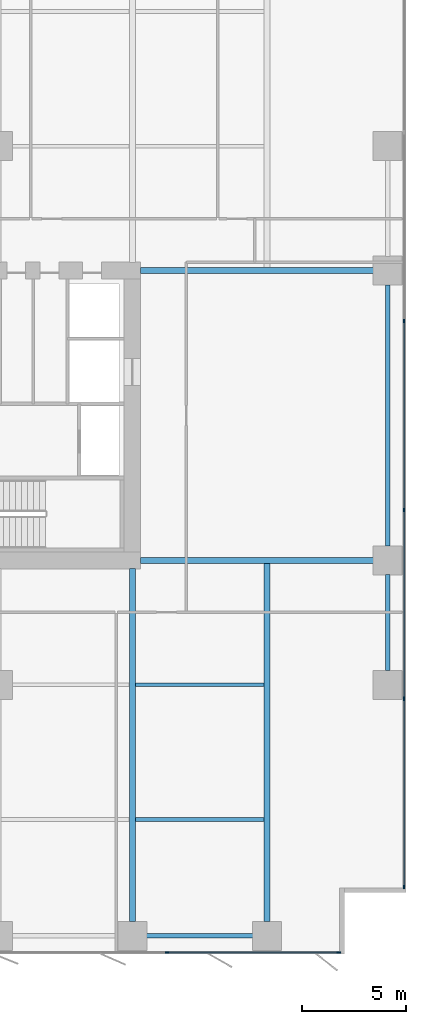
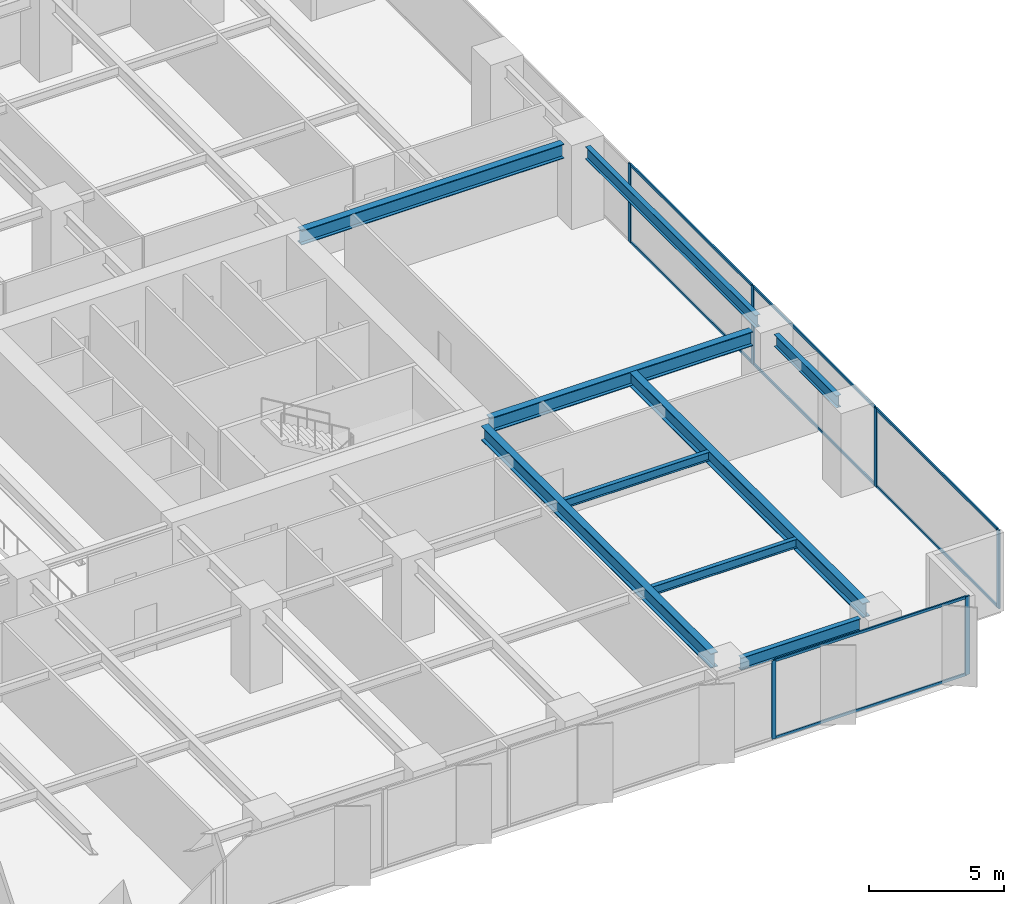
# One storey, part 10 of 20: 14 members, 9 beams, 2 elements without a shape of their own.
"""IFC4 building model written with IfcOpenShell, lengths in metres."""

from ifc_helpers import new_model, si_unit, direction, frame, origin, origin_2d, place, context, subcontext, project, spatial, rectangle, i_section, extrude, material, layer, layer_set, material_profile, profile_set, type_object, element, aggregate, save


model = new_model("IFC4")

# Units and contexts
model_context = context("Model", 3, precision=1e-05, world=origin(), true_north=direction((0.0, 1.0)))
body_context = subcontext(model_context, "Body", "Model", "MODEL_VIEW")
ifc_project = project(units=[si_unit("LENGTHUNIT", "METRE"), si_unit("AREAUNIT", "SQUARE_METRE"), si_unit("VOLUMEUNIT", "CUBIC_METRE"), si_unit("PLANEANGLEUNIT", "RADIAN"), si_unit("MASSUNIT", "GRAM", prefix="KILO")], contexts=[model_context])

# Site, building, storey
site_placement = place(None, origin())
site = spatial("IfcSite", under=ifc_project, at=site_placement, CompositionType="ELEMENT")
building_placement = place(site_placement, origin())
building = spatial("IfcBuilding", under=site, at=building_placement, Name="Putna Gate Headquarters", CompositionType="ELEMENT")
storey_placement = place(building_placement, frame((0.0, 0.0, 73.39990234375)))
storey = spatial("IfcBuildingStorey", under=building, at=storey_placement, Name="L17", CompositionType="ELEMENT", Elevation=73.39990234375)

# Beams
ifc_material_1 = material(Name="Steel S355J2", Category="steel")
ifc_material_profile_1 = material_profile(ifc_material_1, i_section(OverallWidth=0.300048828125, OverallDepth=0.64990234375, WebThickness=0.01611328125, FlangeThickness=0.031005859375, at=origin_2d()), Name="Steel S355J2")
ifc_profile_set_1 = profile_set([ifc_material_profile_1], Name="Steel S355J2")
beam_type_1 = type_object("IfcBeamType", Name="BM-GIRD-Z1-HEB650", PredefinedType="USERDEFINED", material=ifc_profile_set_1)
for number, where, z_axis, x_axis, name in (
    (1, (65.385009765625, 19.0, 3.22509765625), (1.0, 0.0, 0.0), (0.0, 1.0, 0.0), "L17 East Wing Girder Y19"),
    (2, (65.385009765625, 33.0, 3.22509765625), (1.0, 0.0, 0.0), (0.0, 1.0, 0.0), "L17 East Wing Girder Y33"),
):
    element("IfcBeam", number, at=place(storey_placement, frame(where, z_axis=z_axis, x_axis=x_axis)), inside=storey, type_object=beam_type_1, Name=name, ObjectType="GIRDER", PredefinedType="USERDEFINED", context=body_context, shape_type="SweptSolid", body=[
        extrude(i_section(OverallWidth=0.300048828125, OverallDepth=0.64990234375, WebThickness=0.01611328125, FlangeThickness=0.031005859375, at=origin_2d()), origin(), (0.0, 0.0, 1.0), 11.2470703125),
    ])
beam_1_placement = place(storey_placement, frame((65.0, 1.568115234375, 3.22509765625), z_axis=(0.0, 1.0, 0.0), x_axis=(-1.0, 0.0, 0.0)))
element("IfcBeam", 3, at=beam_1_placement, inside=storey, type_object=beam_type_1, Name="L17 South Primary Girder X65", ObjectType="GIRDER", PredefinedType="USERDEFINED", context=body_context, shape_type="SweptSolid", body=[
    extrude(i_section(OverallWidth=0.300048828125, OverallDepth=0.64990234375, WebThickness=0.01611328125, FlangeThickness=0.031005859375, at=origin_2d()), origin(), (0.0, 0.0, 1.0), 17.046875),
])
beam_2_placement = place(storey_placement, frame((71.5, 1.568115234375, 3.22509765625), z_axis=(0.0, 1.0, 0.0), x_axis=(-1.0, 0.0, 0.0)))
element("IfcBeam", 4, at=beam_2_placement, inside=storey, type_object=beam_type_1, Name="L17 South Primary Girder X71", ObjectType="GIRDER", PredefinedType="USERDEFINED", context=body_context, shape_type="SweptSolid", body=[
    extrude(i_section(OverallWidth=0.300048828125, OverallDepth=0.64990234375, WebThickness=0.01611328125, FlangeThickness=0.031005859375, at=origin_2d()), origin(), (0.0, 0.0, 1.0), 17.419921875),
])
ifc_material_profile_2 = material_profile(ifc_material_1, i_section(OverallWidth=0.179931640625, OverallDepth=0.39990234375, WebThickness=0.008544921875, FlangeThickness=0.013427734375, at=origin_2d()), Name="Steel S355J2")
ifc_profile_set_2 = profile_set([ifc_material_profile_2], Name="Steel S355J2")
beam_type_2 = type_object("IfcBeamType", Name="BM-SEC-Z1-IPE400", PredefinedType="BEAM", material=ifc_profile_set_2)
for number, where, z_axis, x_axis, name in (
    (5, (65.154052734375, 6.5, 3.35009765625), (1.0, 0.0, 0.0), (0.0, 1.0, 0.0), "L17 South Secondary Beam 10"),
    (6, (65.154052734375, 13.0, 3.35009765625), (1.0, 0.0, 0.0), (0.0, 1.0, 0.0), "L17 South Secondary Beam 10"),
):
    element("IfcBeam", number, at=place(storey_placement, frame(where, z_axis=z_axis, x_axis=x_axis)), inside=storey, type_object=beam_type_2, Name=name, PredefinedType="BEAM", context=body_context, shape_type="SweptSolid", body=[
        extrude(i_section(OverallWidth=0.179931640625, OverallDepth=0.39990234375, WebThickness=0.008544921875, FlangeThickness=0.013427734375, at=origin_2d()), origin(), (0.0, 0.0, 1.0), 6.19189453125),
    ])
ifc_material_profile_3 = material_profile(ifc_material_1, i_section(OverallWidth=0.2099609375, OverallDepth=0.550048828125, WebThickness=0.010986328125, FlangeThickness=0.01708984375, at=origin_2d()), Name="Steel S355J2")
ifc_profile_set_3 = profile_set([ifc_material_profile_3], Name="Steel S355J2")
beam_type_3 = type_object("IfcBeamType", Name="BM-SPAN-Z1-IPE550", PredefinedType="SPANDREL", material=ifc_profile_set_3)
beam_3_placement = place(storey_placement, frame((65.68798828125, 0.8798828125, 3.275146484375), z_axis=(1.0, 0.0, 0.0), x_axis=(0.0, 1.0, 0.0)))
element("IfcBeam", 7, at=beam_3_placement, inside=storey, type_object=beam_type_3, Name="L17 S Perimeter Spandrel 10", PredefinedType="SPANDREL", context=body_context, shape_type="SweptSolid", body=[
    extrude(i_section(OverallWidth=0.2099609375, OverallDepth=0.550048828125, WebThickness=0.010986328125, FlangeThickness=0.01708984375, at=origin_2d()), origin(), (0.0, 0.0, 1.0), 5.1240234375),
])
beam_4_placement = place(storey_placement, frame((77.320068359375, 13.68798828125, 3.275146484375), z_axis=(0.0, 1.0, 0.0), x_axis=(-1.0, 0.0, 0.0)))
element("IfcBeam", 8, at=beam_4_placement, inside=storey, type_object=beam_type_3, Name="L17 E End Spandrel 1", PredefinedType="SPANDREL", context=body_context, shape_type="SweptSolid", body=[
    extrude(i_section(OverallWidth=0.2099609375, OverallDepth=0.550048828125, WebThickness=0.010986328125, FlangeThickness=0.01708984375, at=origin_2d()), origin(), (0.0, 0.0, 1.0), 4.6240234375),
])
beam_5_placement = place(storey_placement, frame((77.320068359375, 19.68798828125, 3.275146484375), z_axis=(0.0, 1.0, 0.0), x_axis=(-1.0, 0.0, 0.0)))
element("IfcBeam", 9, at=beam_5_placement, inside=storey, type_object=beam_type_3, Name="L17 E End Spandrel 2", PredefinedType="SPANDREL", context=body_context, shape_type="SweptSolid", body=[
    extrude(i_section(OverallWidth=0.2099609375, OverallDepth=0.550048828125, WebThickness=0.010986328125, FlangeThickness=0.01708984375, at=origin_2d()), origin(), (0.0, 0.0, 1.0), 12.6240234375),
])

# Curtain wall, members
ifc_material_2 = material(Name="Anodised bronze aluminium curtain wall", Category="aluminium")
ifc_layer = layer(ifc_material_2, 0.179931640625)
ifc_layer_set = layer_set([ifc_layer], Name="Anodised bronze aluminium curtain wall")
curtain_wall_type = type_object("IfcCurtainWallType", Name="CW-SYS-Z1", PredefinedType="USERDEFINED", material=ifc_layer_set)
curtain_wall_1_placement = place(storey_placement, origin())
curtain_wall_1 = element("IfcCurtainWall", 10, at=curtain_wall_1_placement, inside=storey, type_object=curtain_wall_type, Name="L17 South East Curtain Wall", ObjectType="STICK CURTAIN WALL", PredefinedType="USERDEFINED")
ifc_material_3 = material(Name="Anodised bronze aluminium EN AW-6060", Category="aluminium")
ifc_material_profile_4 = material_profile(ifc_material_3, rectangle(XDim=0.070068359375, YDim=0.179931640625, at=origin_2d()), Name="Anodised bronze aluminium EN AW-6060")
ifc_profile_set_4 = profile_set([ifc_material_profile_4], Name="Anodised bronze aluminium EN AW-6060")
member_type_1 = type_object("IfcMemberType", Name="MULL-CWM-1", PredefinedType="MULLION", material=ifc_profile_set_4)
member_1_placement = place(storey_placement, frame((66.666748046875, 0.080078125, 0.0), z_axis=(0.0, 0.0, 1.0), x_axis=(0.0, 1.0, 0.0)))
member_1 = element("IfcMember", 11, at=member_1_placement, type_object=member_type_1, Name="CWS-1 mullion 3", PredefinedType="MULLION", context=body_context, shape_type="SweptSolid", body=[
    extrude(rectangle(XDim=0.070068359375, YDim=0.179931640625, at=origin_2d()), origin(), (0.0, 0.0, 1.0), 3.550048828125),
])
member_2_placement = place(storey_placement, frame((74.965087890625, 0.080078125, 0.0), z_axis=(0.0, 0.0, 1.0), x_axis=(0.0, 1.0, 0.0)))
member_2 = element("IfcMember", 12, at=member_2_placement, type_object=member_type_1, Name="CWS-1 mullion 4", PredefinedType="MULLION", context=body_context, shape_type="SweptSolid", body=[
    extrude(rectangle(XDim=0.070068359375, YDim=0.179931640625, at=origin_2d()), origin(), (0.0, 0.0, 1.0), 3.550048828125),
])

curtain_wall_2_placement = place(storey_placement, origin())
curtain_wall_2 = element("IfcCurtainWall", 13, at=curtain_wall_2_placement, inside=storey, type_object=curtain_wall_type, Name="L17 East Curtain Wall", ObjectType="STICK CURTAIN WALL", PredefinedType="USERDEFINED")
member_3_placement = place(storey_placement, frame((78.1201171875, 3.235107421875, 0.0), z_axis=(0.0, 0.0, 1.0), x_axis=(-1.0, 0.0, 0.0)))
member_3 = element("IfcMember", 14, at=member_3_placement, type_object=member_type_1, Name="CWS-1 mullion 1", PredefinedType="MULLION", context=body_context, shape_type="SweptSolid", body=[
    extrude(rectangle(XDim=0.070068359375, YDim=0.179931640625, at=origin_2d()), origin(), (0.0, 0.0, 1.0), 3.550048828125),
])
member_4_placement = place(storey_placement, frame((78.1201171875, 12.320068359375, 0.0), z_axis=(0.0, 0.0, 1.0), x_axis=(-1.0, 0.0, 0.0)))
member_4 = element("IfcMember", 15, at=member_4_placement, type_object=member_type_1, Name="CWS-1 mullion 2", PredefinedType="MULLION", context=body_context, shape_type="SweptSolid", body=[
    extrude(rectangle(XDim=0.070068359375, YDim=0.179931640625, at=origin_2d()), origin(), (0.0, 0.0, 1.0), 3.550048828125),
])
member_5_placement = place(storey_placement, frame((78.1201171875, 21.43994140625, 0.0), z_axis=(0.0, 0.0, 1.0), x_axis=(-1.0, 0.0, 0.0)))
member_5 = element("IfcMember", 16, at=member_5_placement, type_object=member_type_1, Name="CWS-1 mullion 3", PredefinedType="MULLION", context=body_context, shape_type="SweptSolid", body=[
    extrude(rectangle(XDim=0.070068359375, YDim=0.179931640625, at=origin_2d()), origin(), (0.0, 0.0, 1.0), 3.550048828125),
])
member_6_placement = place(storey_placement, frame((78.1201171875, 30.56005859375, 0.0), z_axis=(0.0, 0.0, 1.0), x_axis=(-1.0, 0.0, 0.0)))
member_6 = element("IfcMember", 17, at=member_6_placement, type_object=member_type_1, Name="CWS-1 mullion 4", PredefinedType="MULLION", context=body_context, shape_type="SweptSolid", body=[
    extrude(rectangle(XDim=0.070068359375, YDim=0.179931640625, at=origin_2d()), origin(), (0.0, 0.0, 1.0), 3.550048828125),
])

# Member
ifc_material_profile_5 = material_profile(ifc_material_3, rectangle(XDim=0.06494140625, YDim=0.1201171875, at=origin_2d()), Name="Anodised bronze aluminium EN AW-6060")
ifc_profile_set_5 = profile_set([ifc_material_profile_5], Name="Anodised bronze aluminium EN AW-6060")
member_type_2 = type_object("IfcMemberType", Name="TRAN-CWT-1", PredefinedType="USERDEFINED", material=ifc_profile_set_5)
member_7_placement = place(storey_placement, frame((66.70166015625, 0.080078125, 0.03271484375), z_axis=(1.0, 0.0, 0.0), x_axis=(0.0, 1.0, 0.0)))
member_7 = element("IfcMember", 18, at=member_7_placement, type_object=member_type_2, Name="CWS-1 transom 3.1", ObjectType="TRANSOM", PredefinedType="USERDEFINED", context=body_context, shape_type="SweptSolid", body=[
    extrude(rectangle(XDim=0.06494140625, YDim=0.1201171875, at=origin_2d()), origin(), (0.0, 0.0, 1.0), 8.228271484375),
])

member_8_placement = place(storey_placement, frame((66.70166015625, 0.080078125, 3.517578125), z_axis=(1.0, 0.0, 0.0), x_axis=(0.0, 1.0, 0.0)))
member_8 = element("IfcMember", 19, at=member_8_placement, type_object=member_type_2, Name="CWS-1 transom 3.2", ObjectType="TRANSOM", PredefinedType="USERDEFINED", context=body_context, shape_type="SweptSolid", body=[
    extrude(rectangle(XDim=0.06494140625, YDim=0.1201171875, at=origin_2d()), origin(), (0.0, 0.0, 1.0), 8.228271484375),
])

aggregate(curtain_wall_1, [member_1, member_2, member_7, member_8])

member_9_placement = place(storey_placement, frame((78.1201171875, 3.27001953125, 0.03271484375), z_axis=(0.0, 1.0, 0.0), x_axis=(-1.0, 0.0, 0.0)))
member_9 = element("IfcMember", 20, at=member_9_placement, type_object=member_type_2, Name="CWS-1 transom 1.1", ObjectType="TRANSOM", PredefinedType="USERDEFINED", context=body_context, shape_type="SweptSolid", body=[
    extrude(rectangle(XDim=0.06494140625, YDim=0.1201171875, at=origin_2d()), origin(), (0.0, 0.0, 1.0), 9.014892578125),
])

member_10_placement = place(storey_placement, frame((78.1201171875, 3.27001953125, 3.517578125), z_axis=(0.0, 1.0, 0.0), x_axis=(-1.0, 0.0, 0.0)))
member_10 = element("IfcMember", 21, at=member_10_placement, type_object=member_type_2, Name="CWS-1 transom 1.2", ObjectType="TRANSOM", PredefinedType="USERDEFINED", context=body_context, shape_type="SweptSolid", body=[
    extrude(rectangle(XDim=0.06494140625, YDim=0.1201171875, at=origin_2d()), origin(), (0.0, 0.0, 1.0), 9.014892578125),
])

member_11_placement = place(storey_placement, frame((78.1201171875, 12.35498046875, 0.03271484375), z_axis=(0.0, 1.0, 0.0), x_axis=(-1.0, 0.0, 0.0)))
member_11 = element("IfcMember", 22, at=member_11_placement, type_object=member_type_2, Name="CWS-1 transom 2.1", ObjectType="TRANSOM", PredefinedType="USERDEFINED", context=body_context, shape_type="SweptSolid", body=[
    extrude(rectangle(XDim=0.06494140625, YDim=0.1201171875, at=origin_2d()), origin(), (0.0, 0.0, 1.0), 9.050048828125),
])

member_12_placement = place(storey_placement, frame((78.1201171875, 12.35498046875, 3.517578125), z_axis=(0.0, 1.0, 0.0), x_axis=(-1.0, 0.0, 0.0)))
member_12 = element("IfcMember", 23, at=member_12_placement, type_object=member_type_2, Name="CWS-1 transom 2.2", ObjectType="TRANSOM", PredefinedType="USERDEFINED", context=body_context, shape_type="SweptSolid", body=[
    extrude(rectangle(XDim=0.06494140625, YDim=0.1201171875, at=origin_2d()), origin(), (0.0, 0.0, 1.0), 9.050048828125),
])

member_13_placement = place(storey_placement, frame((78.1201171875, 21.47509765625, 0.03271484375), z_axis=(0.0, 1.0, 0.0), x_axis=(-1.0, 0.0, 0.0)))
member_13 = element("IfcMember", 24, at=member_13_placement, type_object=member_type_2, Name="CWS-1 transom 3.1", ObjectType="TRANSOM", PredefinedType="USERDEFINED", context=body_context, shape_type="SweptSolid", body=[
    extrude(rectangle(XDim=0.06494140625, YDim=0.1201171875, at=origin_2d()), origin(), (0.0, 0.0, 1.0), 9.0498046875),
])

member_14_placement = place(storey_placement, frame((78.1201171875, 21.47509765625, 3.517578125), z_axis=(0.0, 1.0, 0.0), x_axis=(-1.0, 0.0, 0.0)))
member_14 = element("IfcMember", 25, at=member_14_placement, type_object=member_type_2, Name="CWS-1 transom 3.2", ObjectType="TRANSOM", PredefinedType="USERDEFINED", context=body_context, shape_type="SweptSolid", body=[
    extrude(rectangle(XDim=0.06494140625, YDim=0.1201171875, at=origin_2d()), origin(), (0.0, 0.0, 1.0), 9.0498046875),
])

aggregate(curtain_wall_2, [member_3, member_4, member_5, member_6, member_9, member_10, member_11, member_12, member_13, member_14])

save(model, "model.ifc")
